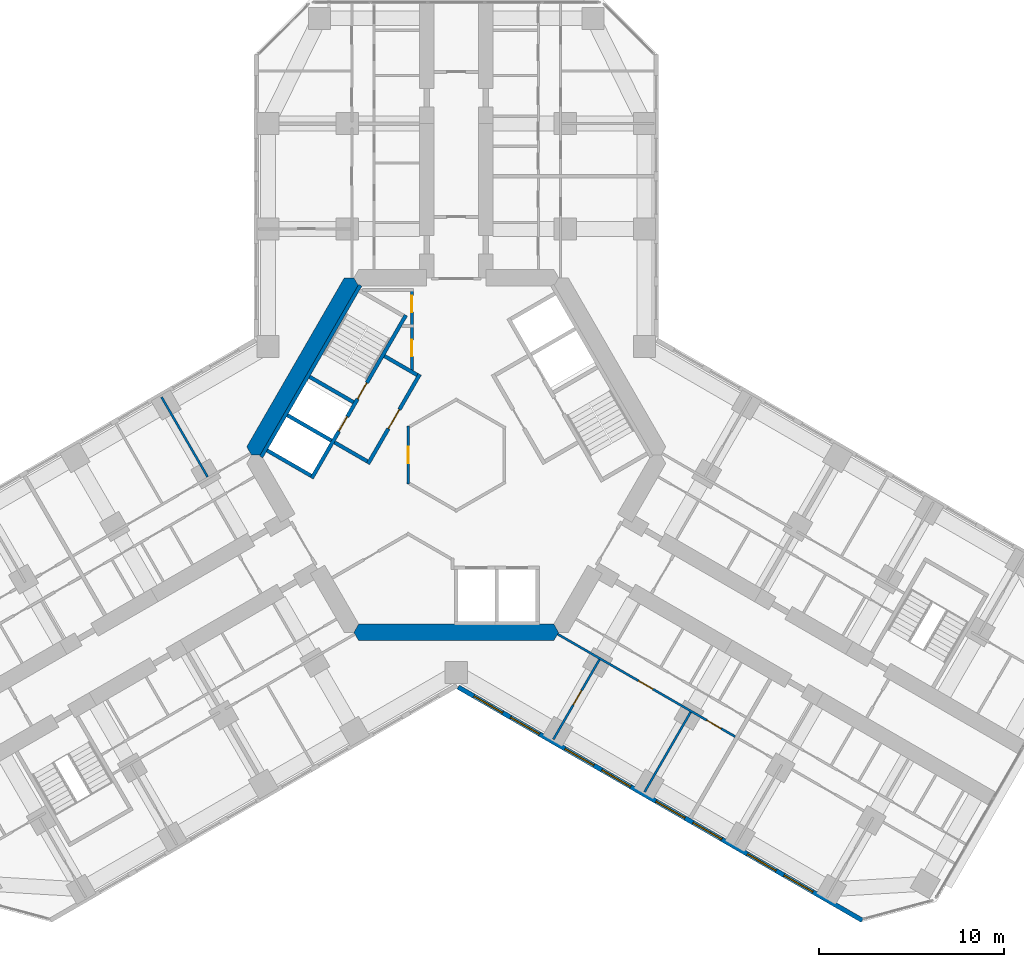
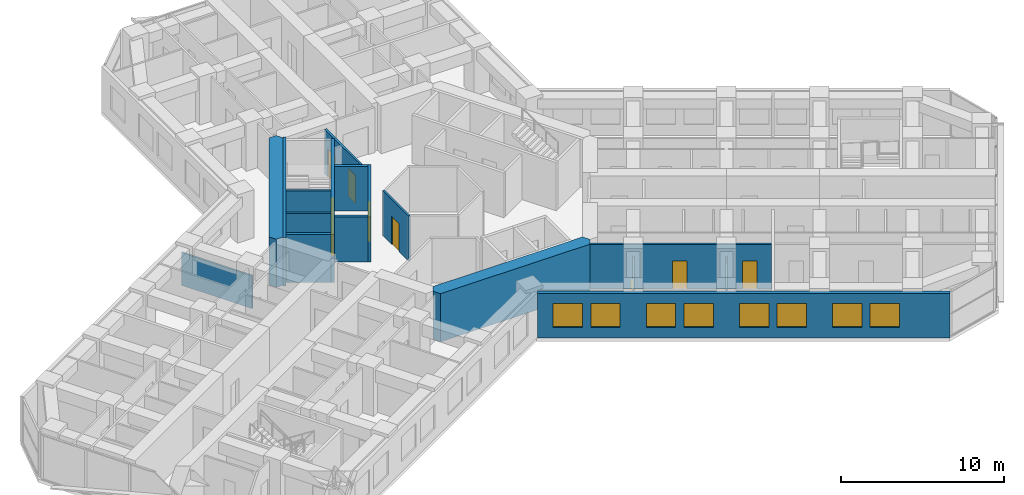
# One storey, part 13 of 20: 17 walls, 9 doors, 8 windows, 17 openings.
"""IFC4 building model written with IfcOpenShell, lengths in metres."""

from ifc_helpers import new_model, si_unit, direction, frame, frame_2d, origin, place, context, subcontext, project, spatial, polyline, rectangle, outline, extrude, material, layer, layer_set, type_object, element, fill, save


model = new_model("IFC4")

# Units and contexts
model_context = context("Model", 3, precision=1e-05, world=origin(), true_north=direction((0.0, 1.0)))
body_context = subcontext(model_context, "Body", "Model", "MODEL_VIEW")
ifc_project = project(units=[si_unit("LENGTHUNIT", "METRE"), si_unit("AREAUNIT", "SQUARE_METRE"), si_unit("VOLUMEUNIT", "CUBIC_METRE"), si_unit("PLANEANGLEUNIT", "RADIAN"), si_unit("MASSUNIT", "GRAM", prefix="KILO")], contexts=[model_context])

# Site, building, storey
site_placement = place(None, origin())
site = spatial("IfcSite", under=ifc_project, at=site_placement, CompositionType="ELEMENT")
building_placement = place(site_placement, origin())
building = spatial("IfcBuilding", under=site, at=building_placement, Name="Kosmar Iwan School Tower", CompositionType="ELEMENT")
storey_placement = place(building_placement, frame((0.0, 0.0, 123.800048828125)))
storey = spatial("IfcBuildingStorey", under=building, at=storey_placement, Name="L30", CompositionType="ELEMENT", Elevation=123.800048828125)

# Wall, openings, doors
ifc_material_1 = material(Name="Gypsum board on steel studs, fire-rated", Category="steel")
ifc_layer_1 = layer(ifc_material_1, 0.14990234375)
ifc_layer_set_1 = layer_set([ifc_layer_1], Name="Core room partition 150")
wall_type_1 = type_object("IfcWallType", Name="Core room partition 150", PredefinedType="PARTITIONING", material=ifc_layer_set_1)
wall_1_placement = place(storey_placement, frame((-2.39990234375, 9.014892578125, 0.0), z_axis=(0.0, 0.0, 1.0), x_axis=(0.0, -1.0, 0.0)))
wall_1 = element("IfcWall", 1, at=wall_1_placement, inside=storey, type_object=wall_type_1, Name="Core room partition L30-CW1", PredefinedType="PARTITIONING", context=body_context, shape_type="SweptSolid", body=[
    extrude(rectangle(XDim=4.484130859375, YDim=0.14990234375, at=frame_2d((2.2421875, 0.0))), origin(), (0.0, 0.0, 1.0), 3.349853515625),
])
opening_1_placement = place(wall_1_placement, frame((0.375, 0.0, 0.0)))
opening_1 = element("IfcOpeningElement", 2, at=opening_1_placement, cuts=wall_1, Name="Opening D14", PredefinedType="OPENING", context=body_context, shape_type="SweptSolid", body=[
    extrude(rectangle(XDim=0.89990234375, YDim=2.10009765625, at=frame_2d((0.449951171875, 1.050048828125))), frame((0.0, 0.0869140625, 0.0), z_axis=(0.0, -1.0, 0.0), x_axis=(1.0, 0.0, 0.0)), (0.0, 0.0, 1.0), 0.173828125),
])
opening_2_placement = place(wall_1_placement, frame((2.77490234375, 0.0, 0.0)))
opening_2 = element("IfcOpeningElement", 3, at=opening_2_placement, cuts=wall_1, Name="Opening D14", PredefinedType="OPENING", context=body_context, shape_type="SweptSolid", body=[
    extrude(rectangle(XDim=0.89990234375, YDim=2.10009765625, at=frame_2d((0.449951171875, 1.050048828125))), frame((0.0, 0.0869140625, 0.0), z_axis=(0.0, -1.0, 0.0), x_axis=(1.0, 0.0, 0.0)), (0.0, 0.0, 1.0), 0.173828125),
])
ifc_material_2 = material(Name="Timber fire door in steel frame", Category="steel")
door_type_1 = type_object("IfcDoorType", Name="Core room door 900x2100", OperationType="SINGLE_SWING_LEFT", PredefinedType="DOOR", material=ifc_material_2)
door_1_placement = place(opening_1_placement, origin())
door_1 = element("IfcDoor", 4, at=door_1_placement, inside=storey, type_object=door_type_1, Name="Electrical riser and switch room door L30 1", OperationType="SINGLE_SWING_LEFT", OverallHeight=2.10009765625, OverallWidth=0.89990234375, PredefinedType="DOOR", context=body_context, shape_type="SweptSolid", body=[
    extrude(rectangle(XDim=0.89990234375, YDim=2.10009765625, at=frame_2d((0.449951171875, 1.050048828125))), frame((0.0, 0.02490234375, 0.0), z_axis=(0.0, -1.0, 0.0), x_axis=(1.0, 0.0, 0.0)), (0.0, 0.0, 1.0), 0.050048828125),
])
fill(opening_1, door_1)
door_2_placement = place(opening_2_placement, origin())
door_2 = element("IfcDoor", 5, at=door_2_placement, inside=storey, type_object=door_type_1, Name="Plumbing and wet riser door L30 2", OperationType="SINGLE_SWING_RIGHT", OverallHeight=2.10009765625, OverallWidth=0.89990234375, PredefinedType="DOOR", context=body_context, shape_type="SweptSolid", body=[
    extrude(rectangle(XDim=0.89990234375, YDim=2.10009765625, at=frame_2d((0.449951171875, 1.050048828125))), frame((0.0, 0.02490234375, 0.0), z_axis=(0.0, -1.0, 0.0), x_axis=(1.0, 0.0, 0.0)), (0.0, 0.0, 1.0), 0.050048828125),
])
fill(opening_2, door_2)

# Wall, opening, door
wall_2_placement = place(storey_placement, frame((-2.60009765625, -1.576171875, 0.0), z_axis=(0.0, 0.0, 1.0), x_axis=(0.0, 1.0, 0.0)))
wall_2 = element("IfcWall", 6, at=wall_2_placement, inside=storey, type_object=wall_type_1, Name="Core room partition L30-CW10", PredefinedType="PARTITIONING", context=body_context, shape_type="SweptSolid", body=[
    extrude(rectangle(XDim=3.15234375, YDim=0.14990234375, at=frame_2d((1.576171875, 0.0))), origin(), (0.0, 0.0, 1.0), 3.349853515625),
])
opening_3_placement = place(wall_2_placement, frame((1.1259765625, 0.0, 0.0)))
opening_3 = element("IfcOpeningElement", 7, at=opening_3_placement, cuts=wall_2, Name="Opening D14", PredefinedType="OPENING", context=body_context, shape_type="SweptSolid", body=[
    extrude(rectangle(XDim=0.89990234375, YDim=2.10009765625, at=frame_2d((0.449951171875, 1.050048828125))), frame((0.0, 0.0869140625, 0.0), z_axis=(0.0, -1.0, 0.0), x_axis=(1.0, 0.0, 0.0)), (0.0, 0.0, 1.0), 0.173828125),
])
door_3_placement = place(opening_3_placement, origin())
door_3 = element("IfcDoor", 8, at=door_3_placement, inside=storey, type_object=door_type_1, Name="Pram and buggy store door L30 4", OperationType="SINGLE_SWING_LEFT", OverallHeight=2.10009765625, OverallWidth=0.89990234375, PredefinedType="DOOR", context=body_context, shape_type="SweptSolid", body=[
    extrude(rectangle(XDim=0.89990234375, YDim=2.10009765625, at=frame_2d((0.449951171875, 1.050048828125))), frame((0.0, 0.02490234375, 0.0), z_axis=(0.0, -1.0, 0.0), x_axis=(1.0, 0.0, 0.0)), (0.0, 0.0, 1.0), 0.050048828125),
])
fill(opening_3, door_3)

# Walls
ifc_material_3 = material(Name="Concrete C50/60", Category="concrete")
ifc_layer_2 = layer(ifc_material_3, 0.89990234375)
ifc_layer_set_2 = layer_set([ifc_layer_2], Name="Core wall 900")
wall_type_2 = type_object("IfcWallType", Name="Core wall 900", PredefinedType="SHEAR", material=ifc_layer_set_2)
wall_3_placement = place(storey_placement, origin())
element("IfcWall", 9, at=wall_3_placement, inside=storey, type_object=wall_type_2, Name="Core wall F150", PredefinedType="SHEAR", context=body_context, shape_type="SweptSolid", body=[
    extrude(outline(polyline([(-11.085205078125, 0.0), (-10.5654296875, 0.0), (-5.28271484375, 9.14990234375), (-5.54248046875, 9.60009765625), (-6.062255859375, 9.60009765625), (-11.344970703125, 0.449951171875), (-11.085205078125, 0.0)])), origin(), (0.0, 0.0, 1.0), 3.599853515625),
])
wall_4_placement = place(storey_placement, origin())
element("IfcWall", 10, at=wall_4_placement, inside=storey, type_object=wall_type_2, Name="Core wall F270", PredefinedType="SHEAR", context=body_context, shape_type="SweptSolid", body=[
    extrude(outline(polyline([(-5.28271484375, -10.050048828125), (5.28271484375, -10.050048828125), (5.54248046875, -9.60009765625), (5.28271484375, -9.14990234375), (-5.28271484375, -9.14990234375), (-5.54248046875, -9.60009765625), (-5.28271484375, -10.050048828125)])), origin(), (0.0, 0.0, 1.0), 3.599853515625),
])
ifc_material_4 = material(Name="Gypsum board on steel studs", Category="steel")
ifc_layer_3 = layer(ifc_material_4, 0.1201171875)
ifc_layer_set_3 = layer_set([ifc_layer_3], Name="Dwelling partition 120")
wall_type_3 = type_object("IfcWallType", Name="Dwelling partition 120", PredefinedType="PARTITIONING", material=ifc_layer_set_3)
wall_5_placement = place(storey_placement, frame((-13.4638671875, -1.179931640625, 0.0), z_axis=(0.0, 0.0, 1.0), x_axis=(-0.499996339024, 0.86602751744, 0.0)))
element("IfcWall", 11, at=wall_5_placement, inside=storey, type_object=wall_type_3, Name="Partition L30-BR1-X1", PredefinedType="PARTITIONING", context=body_context, shape_type="SweptSolid", body=[
    extrude(rectangle(XDim=4.98974609375, YDim=0.1201171875, at=frame_2d((2.494873046875, 0.0))), origin(), (0.0, 0.0, 1.0), 2.449951171875),
])

# Wall, openings, doors
wall_6_placement = place(storey_placement, frame((5.48876953125, -9.693115234375, 0.0), z_axis=(0.0, 0.0, 1.0), x_axis=(0.866026992824, -0.499997247692, 0.0)))
wall_6 = element("IfcWall", 12, at=wall_6_placement, inside=storey, type_object=wall_type_3, Name="Partition L30-CR1-W2", PredefinedType="PARTITIONING", context=body_context, shape_type="SweptSolid", body=[
    extrude(rectangle(XDim=11.10009765625, YDim=0.1201171875, at=frame_2d((5.550048828125, 0.0))), origin(), (0.0, 0.0, 1.0), 3.349853515625),
])
opening_4_placement = place(wall_6_placement, frame((5.050048828125, 0.0, 0.0)))
opening_4 = element("IfcOpeningElement", 13, at=opening_4_placement, cuts=wall_6, Name="Opening D2", PredefinedType="OPENING", context=body_context, shape_type="SweptSolid", body=[
    extrude(rectangle(XDim=0.89990234375, YDim=2.10009765625, at=frame_2d((0.449951171875, 1.050048828125))), frame((0.0, 0.072021484375, 0.0), z_axis=(0.0, -1.0, 0.0), x_axis=(1.0, 0.0, 0.0)), (0.0, 0.0, 1.0), 0.14404296875),
])
opening_5_placement = place(wall_6_placement, frame((9.324951171875, 0.0, 0.0)))
opening_5 = element("IfcOpeningElement", 14, at=opening_5_placement, cuts=wall_6, Name="Opening D2", PredefinedType="OPENING", context=body_context, shape_type="SweptSolid", body=[
    extrude(rectangle(XDim=0.89990234375, YDim=2.10009765625, at=frame_2d((0.449951171875, 1.050048828125))), frame((0.0, 0.072021484375, 0.0), z_axis=(0.0, -1.0, 0.0), x_axis=(1.0, 0.0, 0.0)), (0.0, 0.0, 1.0), 0.14404296875),
])
ifc_material_5 = material(Name="Timber door in timber frame", Category="wood")
door_type_2 = type_object("IfcDoorType", Name="Internal door 900x2100", OperationType="SINGLE_SWING_LEFT", PredefinedType="DOOR", material=ifc_material_5)
door_4_placement = place(opening_4_placement, origin())
door_4 = element("IfcDoor", 15, at=door_4_placement, inside=storey, type_object=door_type_2, Name="Family room door L30-CR1-F2", OperationType="SINGLE_SWING_LEFT", OverallHeight=2.10009765625, OverallWidth=0.89990234375, PredefinedType="DOOR", context=body_context, shape_type="SweptSolid", body=[
    extrude(rectangle(XDim=0.89990234375, YDim=2.10009765625, at=frame_2d((0.449951171875, 1.050048828125))), frame((0.0, 0.02490234375, 0.0), z_axis=(0.0, -1.0, 0.0), x_axis=(1.0, 0.0, 0.0)), (0.0, 0.0, 1.0), 0.050048828125),
])
fill(opening_4, door_4)
door_5_placement = place(opening_5_placement, origin())
door_5 = element("IfcDoor", 16, at=door_5_placement, inside=storey, type_object=door_type_2, Name="Bedroom 1 door L30-CR1-F3", OperationType="SINGLE_SWING_RIGHT", OverallHeight=2.10009765625, OverallWidth=0.89990234375, PredefinedType="DOOR", context=body_context, shape_type="SweptSolid", body=[
    extrude(rectangle(XDim=0.89990234375, YDim=2.10009765625, at=frame_2d((0.449951171875, 1.050048828125))), frame((0.0, 0.02490234375, 0.0), z_axis=(0.0, -1.0, 0.0), x_axis=(1.0, 0.0, 0.0)), (0.0, 0.0, 1.0), 0.050048828125),
])
fill(opening_5, door_5)

# Wall, opening, door
wall_7_placement = place(storey_placement, frame((7.75390625, -11.070068359375, 0.0), z_axis=(0.0, 0.0, 1.0), x_axis=(-0.500033033937, -0.866006330792, 0.0)))
wall_7 = element("IfcWall", 17, at=wall_7_placement, inside=storey, type_object=wall_type_3, Name="Partition L30-CR1-X1", PredefinedType="PARTITIONING", context=body_context, shape_type="SweptSolid", body=[
    extrude(rectangle(XDim=4.989990234375, YDim=0.1201171875, at=frame_2d((2.4951171875, 0.0))), origin(), (0.0, 0.0, 1.0), 2.449951171875),
])
opening_6_placement = place(wall_7_placement, frame((1.93994140625, 0.0, 0.0)))
opening_6 = element("IfcOpeningElement", 18, at=opening_6_placement, cuts=wall_7, Name="Opening D2", PredefinedType="OPENING", context=body_context, shape_type="SweptSolid", body=[
    extrude(rectangle(XDim=0.89990234375, YDim=2.10009765625, at=frame_2d((0.449951171875, 1.050048828125))), frame((0.0, 0.072021484375, 0.0), z_axis=(0.0, -1.0, 0.0), x_axis=(1.0, 0.0, 0.0)), (0.0, 0.0, 1.0), 0.14404296875),
])
door_6_placement = place(opening_6_placement, origin())
door_6 = element("IfcDoor", 19, at=door_6_placement, inside=storey, type_object=door_type_2, Name="Kitchen and dining room door L30-CR1-F1", OperationType="SINGLE_SWING_LEFT", OverallHeight=2.10009765625, OverallWidth=0.89990234375, PredefinedType="DOOR", context=body_context, shape_type="SweptSolid", body=[
    extrude(rectangle(XDim=0.89990234375, YDim=2.10009765625, at=frame_2d((0.449951171875, 1.050048828125))), frame((0.0, 0.02490234375, 0.0), z_axis=(0.0, -1.0, 0.0), x_axis=(1.0, 0.0, 0.0)), (0.0, 0.0, 1.0), 0.050048828125),
])
fill(opening_6, door_6)

# Wall
wall_8_placement = place(storey_placement, frame((12.690185546875, -13.919921875, 0.0), z_axis=(0.0, 0.0, 1.0), x_axis=(-0.500011847778, -0.866018563358, 0.0)))
element("IfcWall", 20, at=wall_8_placement, inside=storey, type_object=wall_type_3, Name="Partition L30-CR1-X2", PredefinedType="PARTITIONING", context=body_context, shape_type="SweptSolid", body=[
    extrude(rectangle(XDim=4.990234375, YDim=0.1201171875, at=frame_2d((2.4951171875, 0.0))), origin(), (0.0, 0.0, 1.0), 2.449951171875),
])

# Wall, openings, windows
ifc_material_6 = material(Name="Black aluminium rainscreen on insulated framing", Category="aluminium")
ifc_layer_4 = layer(ifc_material_6, 0.25)
ifc_layer_set_4 = layer_set([ifc_layer_4], Name="External wall rainscreen 250")
wall_type_4 = type_object("IfcWallType", Name="External wall rainscreen 250", PredefinedType="SOLIDWALL", material=ifc_layer_set_4)
wall_9_placement = place(storey_placement, frame((0.10546875, -12.560546875, 0.0), z_axis=(0.0, 0.0, 1.0), x_axis=(0.866027073697, -0.499997107615, 0.0)))
wall_9 = element("IfcWall", 21, at=wall_9_placement, inside=storey, type_object=wall_type_4, Name="External wall CR L30", PredefinedType="SOLIDWALL", context=body_context, shape_type="SweptSolid", body=[
    extrude(rectangle(XDim=25.263916015625, YDim=0.25, at=frame_2d((12.6318359375, 0.0))), origin(), (0.0, 0.0, 1.0), 3.349853515625),
])
opening_7_placement = place(wall_9_placement, frame((0.978515625, 0.0, 0.800048828125)))
opening_7 = element("IfcOpeningElement", 22, at=opening_7_placement, cuts=wall_9, Name="Opening W1", PredefinedType="OPENING", context=body_context, shape_type="SweptSolid", body=[
    extrude(rectangle(XDim=1.800048828125, YDim=1.800048828125, at=frame_2d((0.89990234375, 0.89990234375))), frame((0.0, 0.136962890625, 0.0), z_axis=(0.0, -1.0, 0.0), x_axis=(1.0, 0.0, 0.0)), (0.0, 0.0, 1.0), 0.27392578125),
])
opening_8_placement = place(wall_9_placement, frame((3.278564453125, 0.0, 0.800048828125)))
opening_8 = element("IfcOpeningElement", 23, at=opening_8_placement, cuts=wall_9, Name="Opening W1", PredefinedType="OPENING", context=body_context, shape_type="SweptSolid", body=[
    extrude(rectangle(XDim=1.800048828125, YDim=1.800048828125, at=frame_2d((0.89990234375, 0.89990234375))), frame((0.0, 0.136962890625, 0.0), z_axis=(0.0, -1.0, 0.0), x_axis=(1.0, 0.0, 0.0)), (0.0, 0.0, 1.0), 0.27392578125),
])
opening_9_placement = place(wall_9_placement, frame((6.678466796875, 0.0, 0.800048828125)))
opening_9 = element("IfcOpeningElement", 24, at=opening_9_placement, cuts=wall_9, Name="Opening W1", PredefinedType="OPENING", context=body_context, shape_type="SweptSolid", body=[
    extrude(rectangle(XDim=1.800048828125, YDim=1.800048828125, at=frame_2d((0.89990234375, 0.89990234375))), frame((0.0, 0.136962890625, 0.0), z_axis=(0.0, -1.0, 0.0), x_axis=(1.0, 0.0, 0.0)), (0.0, 0.0, 1.0), 0.27392578125),
])
opening_10_placement = place(wall_9_placement, frame((8.978515625, 0.0, 0.800048828125)))
opening_10 = element("IfcOpeningElement", 25, at=opening_10_placement, cuts=wall_9, Name="Opening W1", PredefinedType="OPENING", context=body_context, shape_type="SweptSolid", body=[
    extrude(rectangle(XDim=1.800048828125, YDim=1.800048828125, at=frame_2d((0.89990234375, 0.89990234375))), frame((0.0, 0.136962890625, 0.0), z_axis=(0.0, -1.0, 0.0), x_axis=(1.0, 0.0, 0.0)), (0.0, 0.0, 1.0), 0.27392578125),
])
opening_11_placement = place(wall_9_placement, frame((12.37841796875, 0.0, 0.800048828125)))
opening_11 = element("IfcOpeningElement", 26, at=opening_11_placement, cuts=wall_9, Name="Opening W1", PredefinedType="OPENING", context=body_context, shape_type="SweptSolid", body=[
    extrude(rectangle(XDim=1.800048828125, YDim=1.800048828125, at=frame_2d((0.89990234375, 0.89990234375))), frame((0.0, 0.136962890625, 0.0), z_axis=(0.0, -1.0, 0.0), x_axis=(1.0, 0.0, 0.0)), (0.0, 0.0, 1.0), 0.27392578125),
])
opening_12_placement = place(wall_9_placement, frame((14.678466796875, 0.0, 0.800048828125)))
opening_12 = element("IfcOpeningElement", 27, at=opening_12_placement, cuts=wall_9, Name="Opening W1", PredefinedType="OPENING", context=body_context, shape_type="SweptSolid", body=[
    extrude(rectangle(XDim=1.800048828125, YDim=1.800048828125, at=frame_2d((0.89990234375, 0.89990234375))), frame((0.0, 0.136962890625, 0.0), z_axis=(0.0, -1.0, 0.0), x_axis=(1.0, 0.0, 0.0)), (0.0, 0.0, 1.0), 0.27392578125),
])
opening_13_placement = place(wall_9_placement, frame((18.07861328125, 0.0, 0.800048828125)))
opening_13 = element("IfcOpeningElement", 28, at=opening_13_placement, cuts=wall_9, Name="Opening W1", PredefinedType="OPENING", context=body_context, shape_type="SweptSolid", body=[
    extrude(rectangle(XDim=1.800048828125, YDim=1.800048828125, at=frame_2d((0.89990234375, 0.89990234375))), frame((0.0, 0.136962890625, 0.0), z_axis=(0.0, -1.0, 0.0), x_axis=(1.0, 0.0, 0.0)), (0.0, 0.0, 1.0), 0.27392578125),
])
opening_14_placement = place(wall_9_placement, frame((20.37841796875, 0.0, 0.800048828125)))
opening_14 = element("IfcOpeningElement", 29, at=opening_14_placement, cuts=wall_9, Name="Opening W1", PredefinedType="OPENING", context=body_context, shape_type="SweptSolid", body=[
    extrude(rectangle(XDim=1.800048828125, YDim=1.800048828125, at=frame_2d((0.89990234375, 0.89990234375))), frame((0.0, 0.136962890625, 0.0), z_axis=(0.0, -1.0, 0.0), x_axis=(1.0, 0.0, 0.0)), (0.0, 0.0, 1.0), 0.27392578125),
])
ifc_material_7 = material(Name="Black aluminium frame with dark triple glazing", Category="aluminium")
window_type = type_object("IfcWindowType", Name="Window 1800x1800", PartitioningType="SINGLE_PANEL", PredefinedType="WINDOW", material=ifc_material_7)
window_1_placement = place(opening_7_placement, origin())
window_1 = element("IfcWindow", 30, at=window_1_placement, inside=storey, type_object=window_type, Name="Window CR L30 -1", OverallHeight=1.800048828125, OverallWidth=1.800048828125, PartitioningType="SINGLE_PANEL", PredefinedType="WINDOW", context=body_context, shape_type="SweptSolid", body=[
    extrude(rectangle(XDim=1.800048828125, YDim=1.800048828125, at=frame_2d((0.89990234375, 0.89990234375))), frame((0.0, 0.030029296875, 0.0), z_axis=(0.0, -1.0, 0.0), x_axis=(1.0, 0.0, 0.0)), (0.0, 0.0, 1.0), 0.06005859375),
])
fill(opening_7, window_1)
window_2_placement = place(opening_8_placement, origin())
window_2 = element("IfcWindow", 31, at=window_2_placement, inside=storey, type_object=window_type, Name="Window CR L30 0", OverallHeight=1.800048828125, OverallWidth=1.800048828125, PartitioningType="SINGLE_PANEL", PredefinedType="WINDOW", context=body_context, shape_type="SweptSolid", body=[
    extrude(rectangle(XDim=1.800048828125, YDim=1.800048828125, at=frame_2d((0.89990234375, 0.89990234375))), frame((0.0, 0.030029296875, 0.0), z_axis=(0.0, -1.0, 0.0), x_axis=(1.0, 0.0, 0.0)), (0.0, 0.0, 1.0), 0.06005859375),
])
fill(opening_8, window_2)
window_3_placement = place(opening_9_placement, origin())
window_3 = element("IfcWindow", 32, at=window_3_placement, inside=storey, type_object=window_type, Name="Window CR L30 1", OverallHeight=1.800048828125, OverallWidth=1.800048828125, PartitioningType="SINGLE_PANEL", PredefinedType="WINDOW", context=body_context, shape_type="SweptSolid", body=[
    extrude(rectangle(XDim=1.800048828125, YDim=1.800048828125, at=frame_2d((0.89990234375, 0.89990234375))), frame((0.0, 0.030029296875, 0.0), z_axis=(0.0, -1.0, 0.0), x_axis=(1.0, 0.0, 0.0)), (0.0, 0.0, 1.0), 0.06005859375),
])
fill(opening_9, window_3)
window_4_placement = place(opening_10_placement, origin())
window_4 = element("IfcWindow", 33, at=window_4_placement, inside=storey, type_object=window_type, Name="Window CR L30 2", OverallHeight=1.800048828125, OverallWidth=1.800048828125, PartitioningType="SINGLE_PANEL", PredefinedType="WINDOW", context=body_context, shape_type="SweptSolid", body=[
    extrude(rectangle(XDim=1.800048828125, YDim=1.800048828125, at=frame_2d((0.89990234375, 0.89990234375))), frame((0.0, 0.030029296875, 0.0), z_axis=(0.0, -1.0, 0.0), x_axis=(1.0, 0.0, 0.0)), (0.0, 0.0, 1.0), 0.06005859375),
])
fill(opening_10, window_4)
window_5_placement = place(opening_11_placement, origin())
window_5 = element("IfcWindow", 34, at=window_5_placement, inside=storey, type_object=window_type, Name="Window CR L30 3", OverallHeight=1.800048828125, OverallWidth=1.800048828125, PartitioningType="SINGLE_PANEL", PredefinedType="WINDOW", context=body_context, shape_type="SweptSolid", body=[
    extrude(rectangle(XDim=1.800048828125, YDim=1.800048828125, at=frame_2d((0.89990234375, 0.89990234375))), frame((0.0, 0.030029296875, 0.0), z_axis=(0.0, -1.0, 0.0), x_axis=(1.0, 0.0, 0.0)), (0.0, 0.0, 1.0), 0.06005859375),
])
fill(opening_11, window_5)
window_6_placement = place(opening_12_placement, origin())
window_6 = element("IfcWindow", 35, at=window_6_placement, inside=storey, type_object=window_type, Name="Window CR L30 4", OverallHeight=1.800048828125, OverallWidth=1.800048828125, PartitioningType="SINGLE_PANEL", PredefinedType="WINDOW", context=body_context, shape_type="SweptSolid", body=[
    extrude(rectangle(XDim=1.800048828125, YDim=1.800048828125, at=frame_2d((0.89990234375, 0.89990234375))), frame((0.0, 0.030029296875, 0.0), z_axis=(0.0, -1.0, 0.0), x_axis=(1.0, 0.0, 0.0)), (0.0, 0.0, 1.0), 0.06005859375),
])
fill(opening_12, window_6)
window_7_placement = place(opening_13_placement, origin())
window_7 = element("IfcWindow", 36, at=window_7_placement, inside=storey, type_object=window_type, Name="Window CR L30 5", OverallHeight=1.800048828125, OverallWidth=1.800048828125, PartitioningType="SINGLE_PANEL", PredefinedType="WINDOW", context=body_context, shape_type="SweptSolid", body=[
    extrude(rectangle(XDim=1.800048828125, YDim=1.800048828125, at=frame_2d((0.89990234375, 0.89990234375))), frame((0.0, 0.030029296875, 0.0), z_axis=(0.0, -1.0, 0.0), x_axis=(1.0, 0.0, 0.0)), (0.0, 0.0, 1.0), 0.06005859375),
])
fill(opening_13, window_7)
window_8_placement = place(opening_14_placement, origin())
window_8 = element("IfcWindow", 37, at=window_8_placement, inside=storey, type_object=window_type, Name="Window CR L30 6", OverallHeight=1.800048828125, OverallWidth=1.800048828125, PartitioningType="SINGLE_PANEL", PredefinedType="WINDOW", context=body_context, shape_type="SweptSolid", body=[
    extrude(rectangle(XDim=1.800048828125, YDim=1.800048828125, at=frame_2d((0.89990234375, 0.89990234375))), frame((0.0, 0.030029296875, 0.0), z_axis=(0.0, -1.0, 0.0), x_axis=(1.0, 0.0, 0.0)), (0.0, 0.0, 1.0), 0.06005859375),
])
fill(opening_14, window_8)

# Wall, opening, door
ifc_material_8 = material(Name="Concrete block masonry", Category="masonry")
ifc_layer_5 = layer(ifc_material_8, 0.199951171875)
ifc_layer_set_5 = layer_set([ifc_layer_5], Name="Fire lobby wall 200")
wall_type_5 = type_object("IfcWallType", Name="Fire lobby wall 200", PredefinedType="PARTITIONING", material=ifc_layer_set_5)
wall_10_placement = place(storey_placement, frame((-1.9775390625, 4.374755859375, 0.0), z_axis=(0.0, 0.0, 1.0), x_axis=(-0.500016814911, -0.866015695474, 0.0)))
wall_10 = element("IfcWall", 38, at=wall_10_placement, inside=storey, type_object=wall_type_5, Name="Firefighting lobby wall ST2", PredefinedType="PARTITIONING", context=body_context, shape_type="SweptSolid", body=[
    extrude(rectangle(XDim=5.599853515625, YDim=0.199951171875, at=frame_2d((2.7998046875, 0.0))), origin(), (0.0, 0.0, 1.0), 3.349853515625),
])
opening_15_placement = place(wall_10_placement, frame((2.199951171875, 0.0, 0.0)))
opening_15 = element("IfcOpeningElement", 39, at=opening_15_placement, cuts=wall_10, Name="Opening D7", PredefinedType="OPENING", context=body_context, shape_type="SweptSolid", body=[
    extrude(rectangle(XDim=1.199951171875, YDim=2.10009765625, at=frame_2d((0.60009765625, 1.050048828125))), frame((0.0, 0.112060546875, 0.0), z_axis=(0.0, -1.0, 0.0), x_axis=(1.0, 0.0, 0.0)), (0.0, 0.0, 1.0), 0.223876953125),
])
ifc_material_9 = material(Name="Steel fire door", Category="steel")
door_type_3 = type_object("IfcDoorType", Name="Fire lobby door 1200x2100", OperationType="SINGLE_SWING_LEFT", PredefinedType="DOOR", material=ifc_material_9)
door_7_placement = place(opening_15_placement, frame((1.199951171875, 0.0, 0.0), z_axis=(0.0, 0.0, 1.0), x_axis=(-1.0, 0.0, 0.0)))
door_7 = element("IfcDoor", 40, at=door_7_placement, inside=storey, type_object=door_type_3, Name="Firefighting lobby door ST2 L30", OperationType="SINGLE_SWING_RIGHT", OverallHeight=2.10009765625, OverallWidth=1.199951171875, PredefinedType="DOOR", context=body_context, shape_type="SweptSolid", body=[
    extrude(rectangle(XDim=1.199951171875, YDim=2.10009765625, at=frame_2d((0.60009765625, 1.050048828125))), frame((0.0, 0.02490234375, 0.0), z_axis=(0.0, -1.0, 0.0), x_axis=(1.0, 0.0, 0.0)), (0.0, 0.0, 1.0), 0.050048828125),
])
fill(opening_15, door_7)

# Walls
wall_11_placement = place(storey_placement, frame((-2.114013671875, 4.33837890625, 0.0), z_axis=(0.0, 0.0, 1.0), x_axis=(-0.866050731258, 0.499956128963, 0.0)))
element("IfcWall", 41, at=wall_11_placement, inside=storey, type_object=wall_type_5, Name="Firefighting lobby wall ST2", PredefinedType="PARTITIONING", context=body_context, shape_type="SweptSolid", body=[
    extrude(rectangle(XDim=2.050048828125, YDim=0.199951171875, at=frame_2d((1.02490234375, 0.0))), origin(), (0.0, 0.0, 1.0), 3.349853515625),
])
wall_12_placement = place(storey_placement, frame((-4.814208984375, -0.33837890625, 0.0), z_axis=(0.0, 0.0, 1.0), x_axis=(-0.865969381856, 0.500097020274, 0.0)))
element("IfcWall", 42, at=wall_12_placement, inside=storey, type_object=wall_type_5, Name="Firefighting lobby wall ST2", PredefinedType="PARTITIONING", context=body_context, shape_type="SweptSolid", body=[
    extrude(rectangle(XDim=2.0498046875, YDim=0.199951171875, at=frame_2d((1.02490234375, 0.0))), origin(), (0.0, 0.0, 1.0), 3.349853515625),
])

# Wall, openings, doors
ifc_material_10 = material(Name="Concrete C50/60", Category="concrete")
ifc_layer_6 = layer(ifc_material_10, 0.199951171875)
ifc_layer_set_6 = layer_set([ifc_layer_6], Name="Lift shaft wall 200")
wall_type_6 = type_object("IfcWallType", Name="Lift shaft wall 200", PredefinedType="SHEAR", material=ifc_layer_set_6)
wall_13_placement = place(storey_placement, frame((-2.72607421875, 7.578369140625, 0.0), z_axis=(0.0, 0.0, 1.0), x_axis=(-0.500005610874, -0.86602216432, 0.0)))
wall_13 = element("IfcWall", 43, at=wall_13_placement, inside=storey, type_object=wall_type_6, Name="Lift and stair front wall AB", PredefinedType="SHEAR", context=body_context, shape_type="SweptSolid", body=[
    extrude(rectangle(XDim=10.2001953125, YDim=0.199951171875, at=frame_2d((5.10009765625, 0.0))), origin(), (0.0, 0.0, 1.0), 3.599853515625),
])
opening_16_placement = place(wall_13_placement, frame((6.35009765625, 0.0, 0.0)))
opening_16 = element("IfcOpeningElement", 44, at=opening_16_placement, cuts=wall_13, Name="Opening LD2", PredefinedType="OPENING", context=body_context, shape_type="SweptSolid", body=[
    extrude(rectangle(XDim=0.89990234375, YDim=2.10009765625, at=frame_2d((0.449951171875, 1.050048828125))), frame((0.0, 0.112060546875, 0.0), z_axis=(0.0, -1.0, 0.0), x_axis=(1.0, 0.0, 0.0)), (0.0, 0.0, 1.0), 0.223876953125),
])
opening_17_placement = place(wall_13_placement, frame((4.22998046875, 0.0, 0.0)))
opening_17 = element("IfcOpeningElement", 45, at=opening_17_placement, cuts=wall_13, Name="Opening D6", PredefinedType="OPENING", context=body_context, shape_type="SweptSolid", body=[
    extrude(rectangle(XDim=1.0, YDim=2.10009765625, at=frame_2d((0.5, 1.050048828125))), frame((0.0, 0.112060546875, 0.0), z_axis=(0.0, -1.0, 0.0), x_axis=(1.0, 0.0, 0.0)), (0.0, 0.0, 1.0), 0.223876953125),
])
ifc_material_11 = material(Name="Stainless steel sliding lift door", Category="steel")
door_type_4 = type_object("IfcDoorType", Name="Firefighting lift landing door 900x2100", OperationType="SLIDING_TO_LEFT", PredefinedType="DOOR", material=ifc_material_11)
door_8_placement = place(opening_16_placement, origin())
door_8 = element("IfcDoor", 46, at=door_8_placement, inside=storey, type_object=door_type_4, Name="Lift FF2 landing door L30", OperationType="SLIDING_TO_LEFT", OverallHeight=2.10009765625, OverallWidth=0.89990234375, PredefinedType="DOOR", context=body_context, shape_type="SweptSolid", body=[
    extrude(rectangle(XDim=0.89990234375, YDim=2.10009765625, at=frame_2d((0.449951171875, 1.050048828125))), frame((0.0, 0.02490234375, 0.0), z_axis=(0.0, -1.0, 0.0), x_axis=(1.0, 0.0, 0.0)), (0.0, 0.0, 1.0), 0.050048828125),
])
fill(opening_16, door_8)
ifc_material_12 = material(Name="Steel fire door", Category="steel")
door_type_5 = type_object("IfcDoorType", Name="Stair door 1000x2100", OperationType="SINGLE_SWING_LEFT", PredefinedType="DOOR", material=ifc_material_12)
door_9_placement = place(opening_17_placement, origin())
door_9 = element("IfcDoor", 47, at=door_9_placement, inside=storey, type_object=door_type_5, Name="Stair ST2 door L30", OperationType="SINGLE_SWING_LEFT", OverallHeight=2.10009765625, OverallWidth=1.0, PredefinedType="DOOR", context=body_context, shape_type="SweptSolid", body=[
    extrude(rectangle(XDim=1.0, YDim=2.10009765625, at=frame_2d((0.5, 1.050048828125))), frame((0.0, 0.02490234375, 0.0), z_axis=(0.0, -1.0, 0.0), x_axis=(1.0, 0.0, 0.0)), (0.0, 0.0, 1.0), 0.050048828125),
])
fill(opening_17, door_9)

# Walls
wall_14_placement = place(storey_placement, frame((-5.196044921875, 9.199951171875, 0.0), z_axis=(0.0, 0.0, 1.0), x_axis=(-0.499999935134, -0.866025441235, 0.0)))
element("IfcWall", 48, at=wall_14_placement, inside=storey, type_object=wall_type_6, Name="Lift and stair back wall AB", PredefinedType="SHEAR", context=body_context, shape_type="SweptSolid", body=[
    extrude(rectangle(XDim=10.73876953125, YDim=0.199951171875, at=frame_2d((5.369384765625, 0.0))), origin(), (0.0, 0.0, 1.0), 3.599853515625),
])
for number, where, z_axis, x_axis, name in (
    (49, (-6.7626953125, 0.78662109375, 0.0), (0.0, 0.0, 1.0), (-0.866027397988, 0.499996545922, 0.0), "Lift shaft wall AB 1"),
    (50, (-7.862548828125, -1.118408203125, 0.0), (0.0, 0.0, 1.0), (-0.866027397988, 0.499996545922, 0.0), "Lift shaft wall AB 2"),
):
    element("IfcWall", number, at=place(storey_placement, frame(where, z_axis=z_axis, x_axis=x_axis)), inside=storey, type_object=wall_type_6, Name=name, PredefinedType="SHEAR", context=body_context, shape_type="SweptSolid", body=[
        extrude(rectangle(XDim=2.75, YDim=0.199951171875, at=frame_2d((1.375, 0.0))), origin(), (0.0, 0.0, 1.0), 3.599853515625),
    ])
ifc_material_13 = material(Name="Concrete C50/60", Category="concrete")
ifc_layer_7 = layer(ifc_material_13, 0.199951171875)
ifc_layer_set_7 = layer_set([ifc_layer_7], Name="Stair enclosure wall 200")
wall_type_7 = type_object("IfcWallType", Name="Stair enclosure wall 200", PredefinedType="SHEAR", material=ifc_layer_set_7)
wall_15_placement = place(storey_placement, frame((-5.562744140625, 2.865234375, 0.0), z_axis=(0.0, 0.0, 1.0), x_axis=(-0.866027397988, 0.499996545922, 0.0)))
element("IfcWall", 51, at=wall_15_placement, inside=storey, type_object=wall_type_7, Name="Stair ST2 wall", PredefinedType="SHEAR", context=body_context, shape_type="SweptSolid", body=[
    extrude(rectangle(XDim=2.75, YDim=0.199951171875, at=frame_2d((1.375, 0.0))), origin(), (0.0, 0.0, 1.0), 3.599853515625),
])

save(model, "model.ifc")
